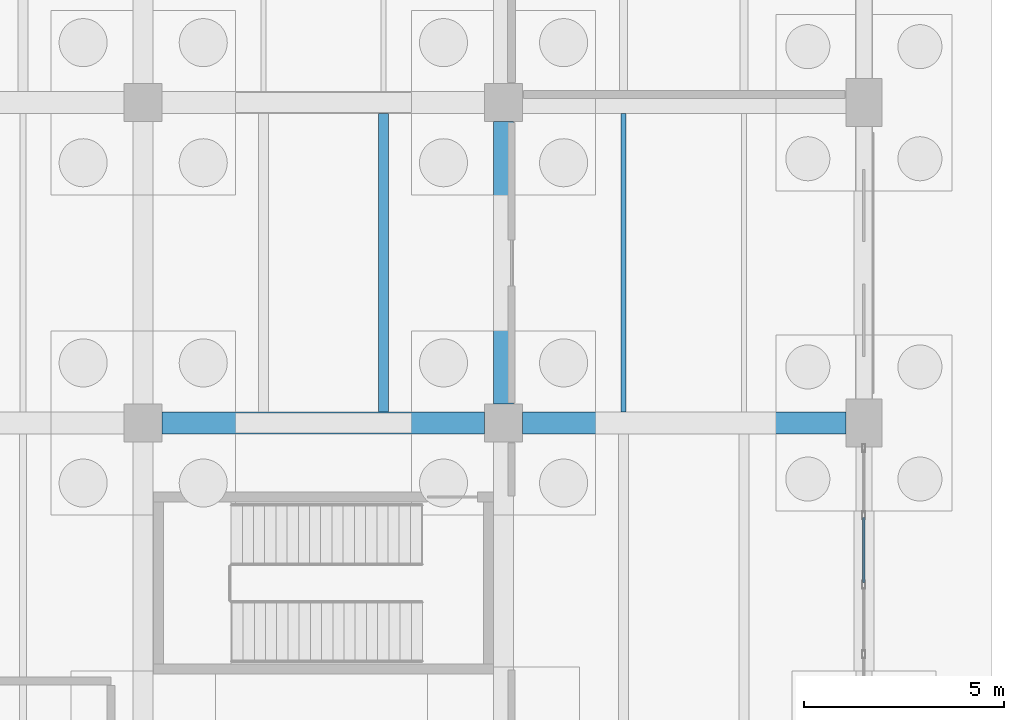
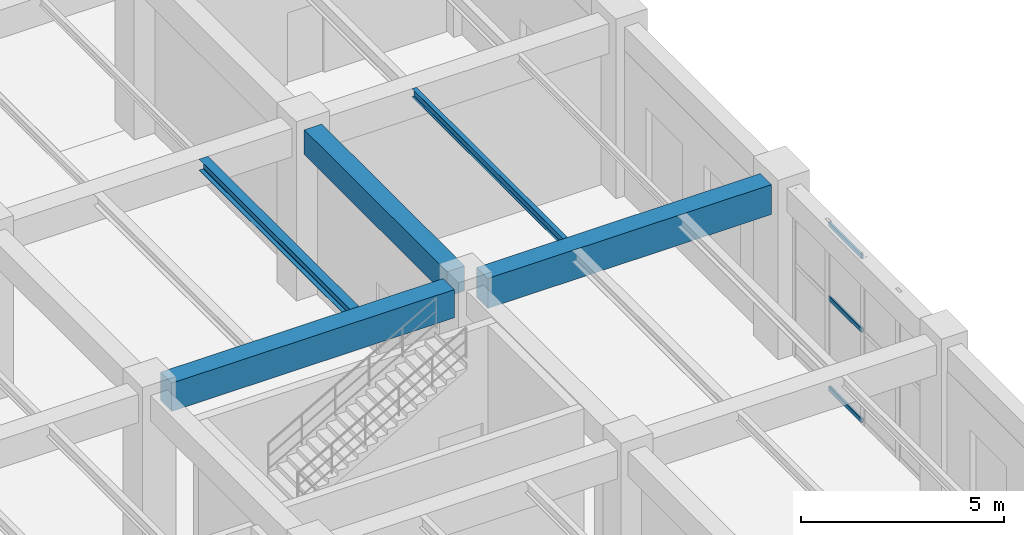
# One storey, part 64 of 121: 5 beams, 3 members, 1 element without a shape of its own.
"""IFC4 building model written with IfcOpenShell, lengths in metres."""

from ifc_helpers import new_model, si_unit, derived_unit, direction, frame, origin, origin_2d, place, context, subcontext, project, spatial, rectangle, hollow_rectangle, i_section, extrude, material, material_profile, profile_set, type_object, element, aggregate, save


model = new_model("IFC4")

# Units and contexts
model_context = context("Model", 3, precision=1e-05, world=origin(), true_north=direction((0.0, 1.0)))
body_context = subcontext(model_context, "Body", "Model", "MODEL_VIEW")
ifc_project = project(units=[si_unit("LENGTHUNIT", "METRE"), si_unit("AREAUNIT", "SQUARE_METRE"), si_unit("VOLUMEUNIT", "CUBIC_METRE"), si_unit("PLANEANGLEUNIT", "RADIAN"), si_unit("MASSUNIT", "GRAM", prefix="KILO"), derived_unit("THERMALTRANSMITTANCEUNIT", [(si_unit("MASSUNIT", "GRAM", prefix="KILO"), 1), (si_unit("TIMEUNIT", "SECOND"), -3), (si_unit("THERMODYNAMICTEMPERATUREUNIT", "KELVIN"), -1)])], contexts=[model_context])

# Site, building, storey
site_placement = place(None, origin())
site = spatial("IfcSite", under=ifc_project, at=site_placement, CompositionType="ELEMENT")
building_placement = place(site_placement, origin())
building = spatial("IfcBuilding", under=site, at=building_placement, Name="Zhenchuan Archway Interchange", CompositionType="ELEMENT")
storey_placement = place(building_placement, origin())
storey = spatial("IfcBuildingStorey", under=building, at=storey_placement, Name="L00", CompositionType="ELEMENT", Elevation=0.0)

# Beams
ifc_material_1 = material(Name="Concrete C40", Category="concrete")
ifc_material_profile_1 = material_profile(ifc_material_1, rectangle(XDim=0.5, YDim=0.75, at=origin_2d()), Name="RC 500x750")
ifc_profile_set_1 = profile_set([ifc_material_profile_1], Name="Concrete C40")
beam_type_1 = type_object("IfcBeamType", Name="BM_RC_500x750", PredefinedType="BEAM", material=ifc_profile_set_1)
beam_1_placement = place(storey_placement, frame((162.0, 24.47509765625, 4.705078125), z_axis=(0.0, 1.0, 0.0), x_axis=(-1.0, 0.0, 0.0)))
element("IfcBeam", 1, at=beam_1_placement, inside=storey, type_object=beam_type_1, Name="Beam 19:D-E (L00)", PredefinedType="BEAM", context=body_context, shape_type="SweptSolid", body=[
    extrude(rectangle(XDim=0.5, YDim=0.75, at=origin_2d()), origin(), (0.0, 0.0, 1.0), 7.0498046875),
])
ifc_material_profile_2 = material_profile(ifc_material_1, rectangle(XDim=0.550048828125, YDim=0.85009765625, at=origin_2d()), Name="RC 550x850")
ifc_profile_set_2 = profile_set([ifc_material_profile_2], Name="Concrete C40")
beam_type_2 = type_object("IfcBeamType", Name="BM_RC_550x850", PredefinedType="BEAM", material=ifc_profile_set_2)
beam_2_placement = place(storey_placement, frame((153.47509765625, 24.0, 4.655029296875), z_axis=(1.0, 0.0, 0.0), x_axis=(0.0, 1.0, 0.0)))
element("IfcBeam", 2, at=beam_2_placement, inside=storey, type_object=beam_type_2, Name="Beam D:18-19 (L00)", PredefinedType="BEAM", context=body_context, shape_type="SweptSolid", body=[
    extrude(rectangle(XDim=0.550048828125, YDim=0.85009765625, at=origin_2d()), origin(), (0.0, 0.0, 1.0), 8.0498046875),
])
ifc_material_profile_3 = material_profile(ifc_material_1, rectangle(XDim=0.550048828125, YDim=0.89990234375, at=origin_2d()), Name="RC 550x900")
ifc_profile_set_3 = profile_set([ifc_material_profile_3], Name="Concrete C40")
beam_type_3 = type_object("IfcBeamType", Name="BM_RC_550x900", PredefinedType="BEAM", material=ifc_profile_set_3)
beam_3_placement = place(storey_placement, frame((162.47509765625, 24.0, 4.6298828125), z_axis=(1.0, 0.0, 0.0), x_axis=(0.0, 1.0, 0.0)))
element("IfcBeam", 3, at=beam_3_placement, inside=storey, type_object=beam_type_3, Name="Beam D:19-20 (L00)", PredefinedType="BEAM", context=body_context, shape_type="SweptSolid", body=[
    extrude(rectangle(XDim=0.550048828125, YDim=0.89990234375, at=origin_2d()), origin(), (0.0, 0.0, 1.0), 8.074951171875),
])

# Curtain wall, members
ifc_material_2 = material(Name="Anodised Aluminium", Category="aluminium")
curtain_wall_type = type_object("IfcCurtainWallType", Name="CW_UNIT_4", PredefinedType="NOTDEFINED", material=ifc_material_2)
curtain_wall_placement = place(storey_placement, origin())
curtain_wall = element("IfcCurtainWall", 4, at=curtain_wall_placement, inside=storey, type_object=curtain_wall_type, Name="Unitised curtain wall CW:L00:015", PredefinedType="NOTDEFINED")
ifc_material_profile_4 = material_profile(ifc_material_2, hollow_rectangle(XDim=0.06005859375, YDim=0.139892578125, WallThickness=0.00341796875, InnerFilletRadius=0.00341796875, OuterFilletRadius=0.007080078125, at=origin_2d()), Name="ALU 140x60x3.5")
ifc_profile_set_4 = profile_set([ifc_material_profile_4], Name="Anodised Aluminium")
member_type = type_object("IfcMemberType", Name="CW_TRN_140", PredefinedType="USERDEFINED", material=ifc_profile_set_4)
member_1_placement = place(storey_placement, frame((171.0, 21.63720703125, 0.06005859375), z_axis=(0.0, -1.0, 0.0), x_axis=(1.0, 0.0, 0.0)))
member_1 = element("IfcMember", 5, at=member_1_placement, type_object=member_type, Name="CW:L00:015 transom 1-1", ObjectType="TRANSOM", PredefinedType="USERDEFINED", context=body_context, shape_type="SweptSolid", body=[
    extrude(hollow_rectangle(XDim=0.06005859375, YDim=0.139892578125, WallThickness=0.00341796875, InnerFilletRadius=0.00341796875, OuterFilletRadius=0.007080078125, at=origin_2d()), origin(), (0.0, 0.0, 1.0), 1.61474609375),
])
member_2_placement = place(storey_placement, frame((171.0, 21.63720703125, 2.782958984375), z_axis=(0.0, -1.0, 0.0), x_axis=(1.0, 0.0, 0.0)))
member_2 = element("IfcMember", 6, at=member_2_placement, type_object=member_type, Name="CW:L00:015 transom 1-2", ObjectType="TRANSOM", PredefinedType="USERDEFINED", context=body_context, shape_type="SweptSolid", body=[
    extrude(hollow_rectangle(XDim=0.06005859375, YDim=0.139892578125, WallThickness=0.00341796875, InnerFilletRadius=0.00341796875, OuterFilletRadius=0.007080078125, at=origin_2d()), origin(), (0.0, 0.0, 1.0), 1.61474609375),
])
member_3_placement = place(storey_placement, frame((171.0, 21.63720703125, 5.0), z_axis=(0.0, -1.0, 0.0), x_axis=(1.0, 0.0, 0.0)))
member_3 = element("IfcMember", 7, at=member_3_placement, type_object=member_type, Name="CW:L00:015 transom 1-3", ObjectType="TRANSOM", PredefinedType="USERDEFINED", context=body_context, shape_type="SweptSolid", body=[
    extrude(hollow_rectangle(XDim=0.06005859375, YDim=0.139892578125, WallThickness=0.00341796875, InnerFilletRadius=0.00341796875, OuterFilletRadius=0.007080078125, at=origin_2d()), origin(), (0.0, 0.0, 1.0), 1.61474609375),
])
aggregate(curtain_wall, [member_1, member_2, member_3])

# Beams
ifc_material_3 = material(Name="Steel Q355", Category="steel")
ifc_material_profile_5 = material_profile(ifc_material_3, i_section(OverallWidth=0.25, OverallDepth=0.340087890625, WebThickness=0.009033203125, FlangeThickness=0.013916015625, FilletRadius=0.01806640625, at=origin_2d()), Name="HM 340x250")
ifc_profile_set_5 = profile_set([ifc_material_profile_5], Name="Steel Q355")
beam_type_4 = type_object("IfcBeamType", Name="JST_STL_HM340", PredefinedType="JOIST", material=ifc_profile_set_5)
beam_4_placement = place(storey_placement, frame((159.0, 24.27490234375, 4.909912109375), z_axis=(0.0, 1.0, 0.0), x_axis=(-1.0, 0.0, 0.0)))
element("IfcBeam", 8, at=beam_4_placement, inside=storey, type_object=beam_type_4, Name="Secondary joist 18-19/D-E #2 (L00)", PredefinedType="JOIST", context=body_context, shape_type="SweptSolid", body=[
    extrude(i_section(OverallWidth=0.25, OverallDepth=0.340087890625, WebThickness=0.009033203125, FlangeThickness=0.013916015625, FilletRadius=0.01806640625, at=origin_2d()), origin(), (0.0, 0.0, 1.0), 7.4501953125),
])
ifc_material_profile_6 = material_profile(ifc_material_3, i_section(OverallWidth=0.125, OverallDepth=0.25, WebThickness=0.006103515625, FlangeThickness=0.009033203125, FilletRadius=0.011962890625, at=origin_2d()), Name="HN 250x125")
ifc_profile_set_6 = profile_set([ifc_material_profile_6], Name="Steel Q355")
beam_type_5 = type_object("IfcBeamType", Name="JST_STL_HN250", PredefinedType="JOIST", material=ifc_profile_set_6)
beam_5_placement = place(storey_placement, frame((165.0, 24.27490234375, 4.955078125), z_axis=(0.0, 1.0, 0.0), x_axis=(-1.0, 0.0, 0.0)))
element("IfcBeam", 9, at=beam_5_placement, inside=storey, type_object=beam_type_5, Name="Secondary joist 19-20/D-E #1 (L00)", PredefinedType="JOIST", context=body_context, shape_type="SweptSolid", body=[
    extrude(i_section(OverallWidth=0.125, OverallDepth=0.25, WebThickness=0.006103515625, FlangeThickness=0.009033203125, FilletRadius=0.011962890625, at=origin_2d()), origin(), (0.0, 0.0, 1.0), 7.4501953125),
])

save(model, "model.ifc")
